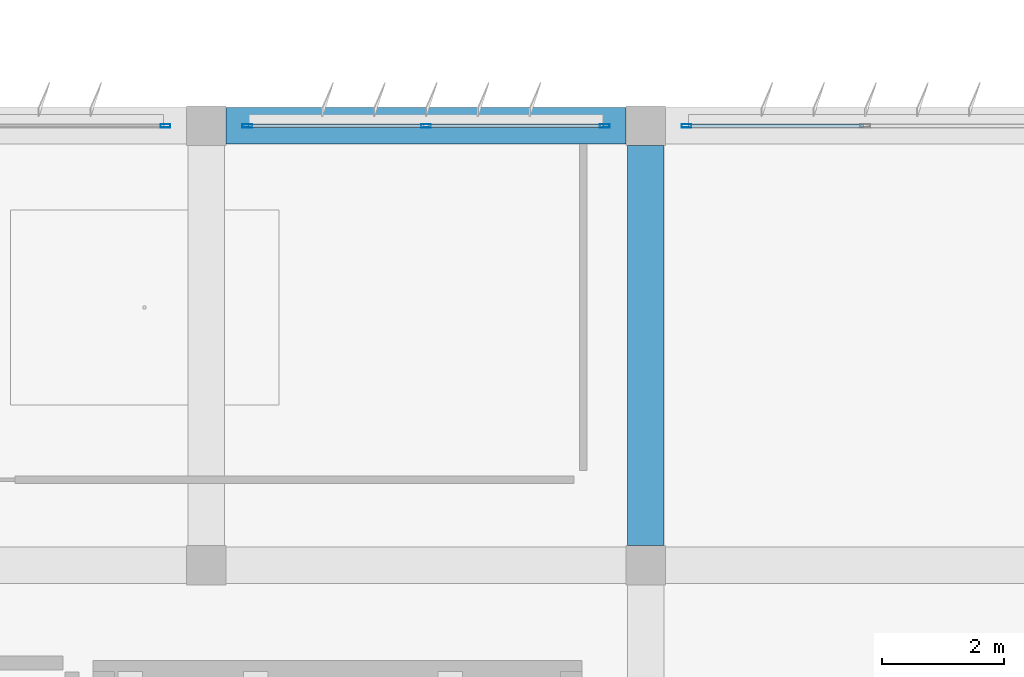
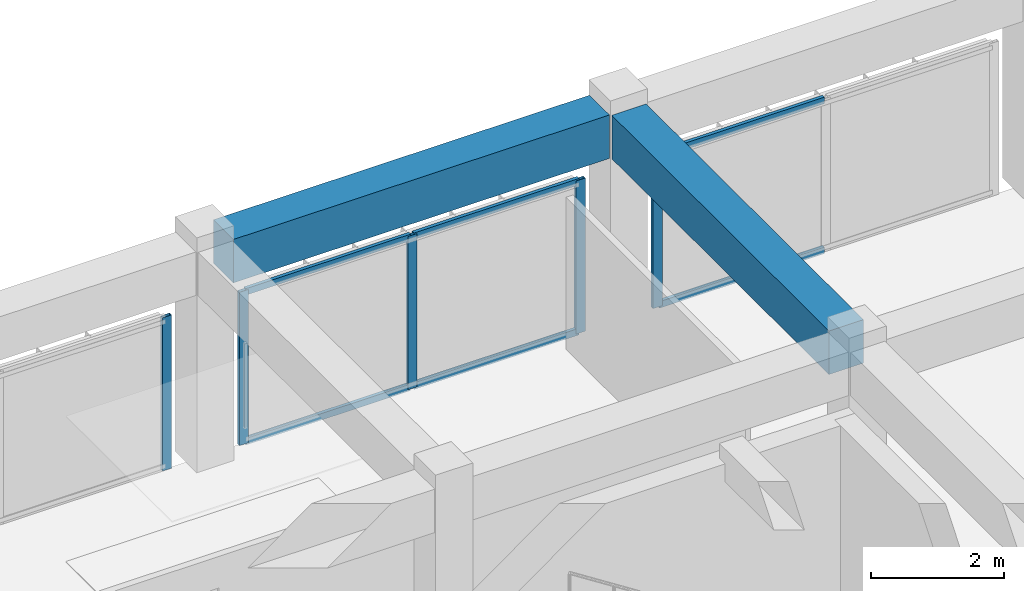
# One storey, part 26 of 53: 11 members, 2 beams, 3 elements without a shape of their own.
"""IFC4 building model written with IfcOpenShell, lengths in metres."""

import ifcopenshell
import ifcopenshell.guid

model = None  # the IFC model being written
_history = None  # IfcOwnerHistory: only IFC2X3 demands one
_inside = {}  # id of a spatial element -> (the spatial element, [elements in it])
_under = {}  # id of a project, library or spatial element -> (it, [spatial elements below it])
_declared = {}  # id of a project -> (the project, [libraries it declares])
_typed = {}  # id of a type object -> (the type object, [elements of that type])
_made_of = {}  # id of a material, layer set ... -> (it, [elements and type objects made of it])


def new_model(schema):
    """Start an empty IFC model of exactly this schema.

    Asked for "IFC4X3", IfcOpenShell would pick the latest addendum, in which some entities
    have other attributes; the version numbers below select the first issue.
    IFC2X3 requires an IfcOwnerHistory on every rooted entity: one is made here for all.
    """
    global model, _history
    if schema == "IFC4X3":
        model = ifcopenshell.file(schema_version=(4, 3, 0, 0))
    else:
        model = ifcopenshell.file(schema=schema)
    _inside.clear()
    _under.clear()
    _declared.clear()
    _typed.clear()
    _made_of.clear()
    _history = None
    if model.schema == "IFC2X3":
        org = make("IfcOrganization", Name="unknown")
        user = make(
            "IfcPersonAndOrganization",
            ThePerson=make("IfcPerson", FamilyName="unknown"),
            TheOrganization=org,
        )
        app = make(
            "IfcApplication",
            ApplicationDeveloper=org,
            Version="unknown",
            ApplicationFullName="unknown",
            ApplicationIdentifier="unknown",
        )
        _history = make(
            "IfcOwnerHistory",
            OwningUser=user,
            OwningApplication=app,
            ChangeAction="ADDED",
            CreationDate=0,
        )
    return model


def make(cls, **values):
    """One entity of the class cls with the attributes given. An attribute that is None is left unset."""
    return model.create_entity(
        cls, **{name: value for name, value in values.items() if value is not None}
    )


def rooted(cls, **values):
    """An entity with a GlobalId (a new one), such as an element, a storey or a relation."""
    return make(cls, GlobalId=ifcopenshell.guid.new(), OwnerHistory=_history, **values)


def si_unit(unit_type, name, prefix=None):
    """IfcSIUnit, for example si_unit("LENGTHUNIT", "METRE", prefix="MILLI")."""
    return make("IfcSIUnit", UnitType=unit_type, Prefix=prefix, Name=name)


def assignment(units):
    """IfcUnitAssignment: the units of a project."""
    return None if units is None else make("IfcUnitAssignment", Units=units)


def point(xyz):
    """IfcCartesianPoint."""
    return None if xyz is None else make("IfcCartesianPoint", Coordinates=xyz)


def direction(xyz):
    """IfcDirection."""
    return None if xyz is None else make("IfcDirection", DirectionRatios=xyz)


def frame(location, z_axis=None, x_axis=None):
    """IfcAxis2Placement3D, a coordinate frame: its origin and axes. An axis left out is left unset."""
    return make(
        "IfcAxis2Placement3D",
        Location=point(location),
        Axis=direction(z_axis),
        RefDirection=direction(x_axis),
    )


def frame_2d(location, x_axis=None):
    """IfcAxis2Placement2D, a coordinate frame in the plane: its origin and x axis."""
    return make(
        "IfcAxis2Placement2D", Location=point(location), RefDirection=direction(x_axis)
    )


def origin():
    """The frame at (0, 0, 0) with its axes left unset."""
    return frame((0.0, 0.0, 0.0))


def origin_2d():
    """The frame at (0, 0) in the plane with its x axis left unset."""
    return frame_2d((0.0, 0.0))


def place(relative_to, where):
    """IfcLocalPlacement: puts the frame where relative to a parent placement (None: the world)."""
    return make(
        "IfcLocalPlacement", PlacementRelTo=relative_to, RelativePlacement=where
    )


def context(
    kind, dimensions, precision=None, world=None, true_north=None, identifier=None
):
    """IfcGeometricRepresentationContext, for example the 3D "Model" context."""
    return make(
        "IfcGeometricRepresentationContext",
        ContextIdentifier=identifier,
        ContextType=kind,
        CoordinateSpaceDimension=dimensions,
        Precision=precision,
        WorldCoordinateSystem=world,
        TrueNorth=true_north,
    )


def subcontext(parent, identifier, kind, view, scale=None):
    """IfcGeometricRepresentationSubContext, for example "Body" below "Model"."""
    return make(
        "IfcGeometricRepresentationSubContext",
        ContextIdentifier=identifier,
        ContextType=kind,
        ParentContext=parent,
        TargetScale=scale,
        TargetView=view,
    )


def project(units=None, contexts=None):
    """IfcProject with its units and contexts."""
    return rooted(
        "IfcProject",
        Name="project",
        RepresentationContexts=contexts,
        UnitsInContext=assignment(units),
    )


def spatial(cls, under=None, at=None, **own):
    """A site, building, storey or space (cls), placed at a placement, below another one or the project."""
    s = rooted(cls, ObjectPlacement=at, **own)
    if under is not None:
        _under.setdefault(under.id(), (under, []))[1].append(s)
    return s


def profile(cls, at=None, kind="AREA", **sizes):
    """A parametric profile (cls). Its sizes go by their IFC names, for example OverallWidth=200.0."""
    return make(cls, ProfileType=kind, Position=at, **sizes)


def rectangle(**sizes):
    """IfcRectangleProfileDef."""
    return profile("IfcRectangleProfileDef", **sizes)


def hollow_rectangle(**sizes):
    """IfcRectangleHollowProfileDef."""
    return profile("IfcRectangleHollowProfileDef", **sizes)


def extrude(swept, where, along, depth):
    """IfcExtrudedAreaSolid: the profile swept, set in the frame where, extruded along a direction by depth."""
    return make(
        "IfcExtrudedAreaSolid",
        SweptArea=swept,
        Position=where,
        ExtrudedDirection=direction(along),
        Depth=depth,
    )


def shape(context_of_items, identifier, shape_type, items):
    """IfcShapeRepresentation: the items that make up one representation, for example the "Body"."""
    return make(
        "IfcShapeRepresentation",
        ContextOfItems=context_of_items,
        RepresentationIdentifier=identifier,
        RepresentationType=shape_type,
        Items=items,
    )


def material(Name=None, Category=None):
    """IfcMaterial."""
    return make("IfcMaterial", Name=Name, Category=Category)


def material_profile(
    of_material, cross_section, Name=None, Category=None, Priority=None
):
    """IfcMaterialProfile: a cross section and its material."""
    return make(
        "IfcMaterialProfile",
        Name=Name,
        Material=of_material,
        Profile=cross_section,
        Priority=Priority,
        Category=Category,
    )


def profile_set(profiles, Name=None, composite=None):
    """IfcMaterialProfileSet."""
    return make(
        "IfcMaterialProfileSet",
        Name=Name,
        MaterialProfiles=profiles,
        CompositeProfile=composite,
    )


def made_of(thing, what):
    """Note that an element or type object is made of a material, layer set ...; save() writes the relation."""
    if what is not None:
        _made_of.setdefault(what.id(), (what, []))[1].append(thing)
    return thing


def type_object(cls, material=None, **own):
    """A type object (cls), such as IfcWallType, which elements share."""
    return made_of(rooted(cls, **own), material)


def element(
    cls,
    number,
    at=None,
    inside=None,
    cuts=None,
    type_object=None,
    material=None,
    context=None,
    identifier="Body",
    shape_type=None,
    held_by="IfcProductDefinitionShape",
    body=None,
    shapes=None,
    **own,
):
    """One element of the class cls, such as IfcWall. Its Tag is "e" and its number.

    at: its placement. inside: the storey or other place that contains it. cuts: it is an
    opening in that element (IfcRelVoidsElement). A single representation is given by context,
    identifier, shape_type and body (its items); several are given by shapes. held_by: the class
    of the entity that holds the representations. save() writes the other relations.
    """
    e = rooted(cls, Tag="e%d" % number, ObjectPlacement=at, **own)
    if body is not None:
        shapes = [shape(context, identifier, shape_type, body)]
    if shapes is not None:
        e.Representation = make(held_by, Representations=shapes)
    if inside is not None:
        _inside.setdefault(inside.id(), (inside, []))[1].append(e)
    if cuts is not None:
        rooted(
            "IfcRelVoidsElement", RelatingBuildingElement=cuts, RelatedOpeningElement=e
        )
    if type_object is not None:
        _typed.setdefault(type_object.id(), (type_object, []))[1].append(e)
    return made_of(e, material)


def aggregate(whole, parts):
    """IfcRelAggregates: a whole, such as a stair, and the parts it consists of."""
    return rooted("IfcRelAggregates", RelatingObject=whole, RelatedObjects=parts)


def save(model, path):
    """Write the relations noted so far, then the file.

    IfcRelAggregates (storeys below a building ...), IfcRelContainedInSpatialStructure (elements
    in a storey), IfcRelDefinesByType, IfcRelAssociatesMaterial and IfcRelDeclares: one each for
    every whole, place, type object, material and project.
    """
    for whole, parts in _under.values():
        aggregate(whole, parts)
    for where, things in _inside.values():
        rooted(
            "IfcRelContainedInSpatialStructure",
            RelatedElements=things,
            RelatingStructure=where,
        )
    for kind, things in _typed.values():
        rooted("IfcRelDefinesByType", RelatedObjects=things, RelatingType=kind)
    for what, things in _made_of.values():
        rooted("IfcRelAssociatesMaterial", RelatedObjects=things, RelatingMaterial=what)
    for by, libraries in _declared.values():
        rooted("IfcRelDeclares", RelatingContext=by, RelatedDefinitions=libraries)
    model.write(path)


model = new_model("IFC4")

# Units and contexts
model_context = context("Model", 3, precision=1e-05, world=origin(), true_north=direction((0.0, 1.0)))
body_context = subcontext(model_context, "Body", "Model", "MODEL_VIEW")
ifc_project = project(units=[si_unit("LENGTHUNIT", "METRE"), si_unit("AREAUNIT", "SQUARE_METRE"), si_unit("VOLUMEUNIT", "CUBIC_METRE"), si_unit("PLANEANGLEUNIT", "RADIAN"), si_unit("MASSUNIT", "GRAM", prefix="KILO")], contexts=[model_context])

# Site, building, storey
site_placement = place(None, origin())
site = spatial("IfcSite", under=ifc_project, at=site_placement, CompositionType="ELEMENT")
building_placement = place(site_placement, origin())
building = spatial("IfcBuilding", under=site, at=building_placement, Name="Kazehaya Institute of Natural Sciences", CompositionType="ELEMENT")
storey_placement = place(building_placement, frame((0.0, 0.0, 33.300048828125)))
storey = spatial("IfcBuildingStorey", under=building, at=storey_placement, Name="L07", CompositionType="ELEMENT", Elevation=33.300048828125)

# Beams
ifc_material_1 = material(Name="Concrete Fc36", Category="concrete")
ifc_material_profile_1 = material_profile(ifc_material_1, rectangle(XDim=0.60009765625, YDim=0.800048828125, at=origin_2d()), Name="RC-600x800")
ifc_profile_set_1 = profile_set([ifc_material_profile_1], Name="Concrete Fc36")
beam_type = type_object("IfcBeamType", Name="BM-G-600x800", PredefinedType="BEAM", material=ifc_profile_set_1)
beam_1_placement = place(storey_placement, frame((105.324951171875, 35.60009765625, 3.64990234375), z_axis=(1.0, 0.0, 0.0), x_axis=(0.0, 1.0, 0.0)))
element("IfcBeam", 1, at=beam_1_placement, inside=storey, type_object=beam_type, Name="L07 primary X girder BMX-L07-1050-356", PredefinedType="BEAM", context=body_context, shape_type="SweptSolid", body=[
    extrude(rectangle(XDim=0.60009765625, YDim=0.800048828125, at=origin_2d()), origin(), (0.0, 0.0, 1.0), 6.550048828125),
])
beam_2_placement = place(storey_placement, frame((112.199951171875, 28.72509765625, 3.64990234375), z_axis=(0.0, 1.0, 0.0), x_axis=(-1.0, 0.0, 0.0)))
element("IfcBeam", 2, at=beam_2_placement, inside=storey, type_object=beam_type, Name="L07 primary Y girder BMY-L07-1122-284", PredefinedType="BEAM", context=body_context, shape_type="SweptSolid", body=[
    extrude(rectangle(XDim=0.60009765625, YDim=0.800048828125, at=origin_2d()), origin(), (0.0, 0.0, 1.0), 6.5498046875),
])

# Curtain wall, member
ifc_material_2 = material(Name="Aluminium alloy A6063S-T5", Category="aluminium")
curtain_wall_type = type_object("IfcCurtainWallType", Name="CW-SYS-05", PredefinedType="NOTDEFINED", material=ifc_material_2)
curtain_wall_1_placement = place(storey_placement, origin())
curtain_wall_1 = element("IfcCurtainWall", 3, at=curtain_wall_1_placement, inside=storey, type_object=curtain_wall_type, Name="L07 unitised curtain wall CW-L07-163", PredefinedType="NOTDEFINED")
ifc_material_profile_2 = material_profile(ifc_material_2, hollow_rectangle(XDim=0.06005859375, YDim=0.159912109375, WallThickness=0.00390625, at=origin_2d()), Name="ALU-60x160x4")
ifc_profile_set_2 = profile_set([ifc_material_profile_2], Name="Aluminium alloy A6063S-T5")
member_type_1 = type_object("IfcMemberType", Name="CWM-160", PredefinedType="MULLION", material=ifc_profile_set_2)
member_1_placement = place(storey_placement, frame((104.330078125, 35.60009765625, 0.0), z_axis=(0.0, 0.0, 1.0), x_axis=(0.0, 1.0, 0.0)))
member_1 = element("IfcMember", 4, at=member_1_placement, type_object=member_type_1, Name="CW05 mullion 3", PredefinedType="MULLION", context=body_context, shape_type="SweptSolid", body=[
    extrude(hollow_rectangle(XDim=0.06005859375, YDim=0.159912109375, WallThickness=0.00390625, at=origin_2d()), origin(), (0.0, 0.0, 1.0), 2.820068359375),
])
aggregate(curtain_wall_1, [member_1])

# Curtain wall, members
curtain_wall_2_placement = place(storey_placement, origin())
curtain_wall_2 = element("IfcCurtainWall", 5, at=curtain_wall_2_placement, inside=storey, type_object=curtain_wall_type, Name="L07 unitised curtain wall CW-L07-164", PredefinedType="NOTDEFINED")
member_2_placement = place(storey_placement, frame((105.669921875, 35.60009765625, 0.0), z_axis=(0.0, 0.0, 1.0), x_axis=(0.0, 1.0, 0.0)))
member_2 = element("IfcMember", 6, at=member_2_placement, type_object=member_type_1, Name="CW05 mullion 1", PredefinedType="MULLION", context=body_context, shape_type="SweptSolid", body=[
    extrude(hollow_rectangle(XDim=0.06005859375, YDim=0.159912109375, WallThickness=0.00390625, at=origin_2d()), origin(), (0.0, 0.0, 1.0), 2.820068359375),
])
member_3_placement = place(storey_placement, frame((108.60009765625, 35.60009765625, 0.0), z_axis=(0.0, 0.0, 1.0), x_axis=(0.0, 1.0, 0.0)))
member_3 = element("IfcMember", 7, at=member_3_placement, type_object=member_type_1, Name="CW05 mullion 2", PredefinedType="MULLION", context=body_context, shape_type="SweptSolid", body=[
    extrude(hollow_rectangle(XDim=0.06005859375, YDim=0.159912109375, WallThickness=0.00390625, at=origin_2d()), origin(), (0.0, 0.0, 1.0), 2.820068359375),
])
member_4_placement = place(storey_placement, frame((111.530029296875, 35.60009765625, 0.0), z_axis=(0.0, 0.0, 1.0), x_axis=(0.0, 1.0, 0.0)))
member_4 = element("IfcMember", 8, at=member_4_placement, type_object=member_type_1, Name="CW05 mullion 3", PredefinedType="MULLION", context=body_context, shape_type="SweptSolid", body=[
    extrude(hollow_rectangle(XDim=0.06005859375, YDim=0.159912109375, WallThickness=0.00390625, at=origin_2d()), origin(), (0.0, 0.0, 1.0), 2.820068359375),
])

# Curtain wall, member
curtain_wall_3_placement = place(storey_placement, origin())
curtain_wall_3 = element("IfcCurtainWall", 9, at=curtain_wall_3_placement, inside=storey, type_object=curtain_wall_type, Name="L07 unitised curtain wall CW-L07-165", PredefinedType="NOTDEFINED")
member_5_placement = place(storey_placement, frame((112.8701171875, 35.60009765625, 0.0), z_axis=(0.0, 0.0, 1.0), x_axis=(0.0, 1.0, 0.0)))
member_5 = element("IfcMember", 10, at=member_5_placement, type_object=member_type_1, Name="CW05 mullion 1", PredefinedType="MULLION", context=body_context, shape_type="SweptSolid", body=[
    extrude(hollow_rectangle(XDim=0.06005859375, YDim=0.159912109375, WallThickness=0.00390625, at=origin_2d()), origin(), (0.0, 0.0, 1.0), 2.820068359375),
])

# Member
ifc_material_profile_3 = material_profile(ifc_material_2, hollow_rectangle(XDim=0.06005859375, YDim=0.1201171875, WallThickness=0.00341796875, at=origin_2d()), Name="ALU-60x120x3.5")
ifc_profile_set_3 = profile_set([ifc_material_profile_3], Name="Aluminium alloy A6063S-T5")
member_type_2 = type_object("IfcMemberType", Name="CWT-120", PredefinedType="USERDEFINED", material=ifc_profile_set_3)
member_6_placement = place(storey_placement, frame((105.699951171875, 35.60009765625, 0.030029296875), z_axis=(1.0, 0.0, 0.0), x_axis=(0.0, 1.0, 0.0)))
member_6 = element("IfcMember", 11, at=member_6_placement, type_object=member_type_2, Name="CW05 transom 1.1", ObjectType="TRANSOM", PredefinedType="USERDEFINED", context=body_context, shape_type="SweptSolid", body=[
    extrude(hollow_rectangle(XDim=0.06005859375, YDim=0.1201171875, WallThickness=0.00341796875, at=origin_2d()), origin(), (0.0, 0.0, 1.0), 2.8701171875),
])

member_7_placement = place(storey_placement, frame((105.699951171875, 35.60009765625, 2.7900390625), z_axis=(1.0, 0.0, 0.0), x_axis=(0.0, 1.0, 0.0)))
member_7 = element("IfcMember", 12, at=member_7_placement, type_object=member_type_2, Name="CW05 transom 1.2", ObjectType="TRANSOM", PredefinedType="USERDEFINED", context=body_context, shape_type="SweptSolid", body=[
    extrude(hollow_rectangle(XDim=0.06005859375, YDim=0.1201171875, WallThickness=0.00341796875, at=origin_2d()), origin(), (0.0, 0.0, 1.0), 2.8701171875),
])

member_8_placement = place(storey_placement, frame((108.6298828125, 35.60009765625, 0.030029296875), z_axis=(1.0, 0.0, 0.0), x_axis=(0.0, 1.0, 0.0)))
member_8 = element("IfcMember", 13, at=member_8_placement, type_object=member_type_2, Name="CW05 transom 2.1", ObjectType="TRANSOM", PredefinedType="USERDEFINED", context=body_context, shape_type="SweptSolid", body=[
    extrude(hollow_rectangle(XDim=0.06005859375, YDim=0.1201171875, WallThickness=0.00341796875, at=origin_2d()), origin(), (0.0, 0.0, 1.0), 2.8701171875),
])

member_9_placement = place(storey_placement, frame((108.6298828125, 35.60009765625, 2.7900390625), z_axis=(1.0, 0.0, 0.0), x_axis=(0.0, 1.0, 0.0)))
member_9 = element("IfcMember", 14, at=member_9_placement, type_object=member_type_2, Name="CW05 transom 2.2", ObjectType="TRANSOM", PredefinedType="USERDEFINED", context=body_context, shape_type="SweptSolid", body=[
    extrude(hollow_rectangle(XDim=0.06005859375, YDim=0.1201171875, WallThickness=0.00341796875, at=origin_2d()), origin(), (0.0, 0.0, 1.0), 2.8701171875),
])

aggregate(curtain_wall_2, [member_2, member_3, member_4, member_6, member_7, member_8, member_9])

member_10_placement = place(storey_placement, frame((112.89990234375, 35.60009765625, 0.030029296875), z_axis=(1.0, 0.0, 0.0), x_axis=(0.0, 1.0, 0.0)))
member_10 = element("IfcMember", 15, at=member_10_placement, type_object=member_type_2, Name="CW05 transom 1.1", ObjectType="TRANSOM", PredefinedType="USERDEFINED", context=body_context, shape_type="SweptSolid", body=[
    extrude(hollow_rectangle(XDim=0.06005859375, YDim=0.1201171875, WallThickness=0.00341796875, at=origin_2d()), origin(), (0.0, 0.0, 1.0), 2.8701171875),
])

member_11_placement = place(storey_placement, frame((112.89990234375, 35.60009765625, 2.7900390625), z_axis=(1.0, 0.0, 0.0), x_axis=(0.0, 1.0, 0.0)))
member_11 = element("IfcMember", 16, at=member_11_placement, type_object=member_type_2, Name="CW05 transom 1.2", ObjectType="TRANSOM", PredefinedType="USERDEFINED", context=body_context, shape_type="SweptSolid", body=[
    extrude(hollow_rectangle(XDim=0.06005859375, YDim=0.1201171875, WallThickness=0.00341796875, at=origin_2d()), origin(), (0.0, 0.0, 1.0), 2.8701171875),
])

aggregate(curtain_wall_3, [member_5, member_10, member_11])

save(model, "model.ifc")
